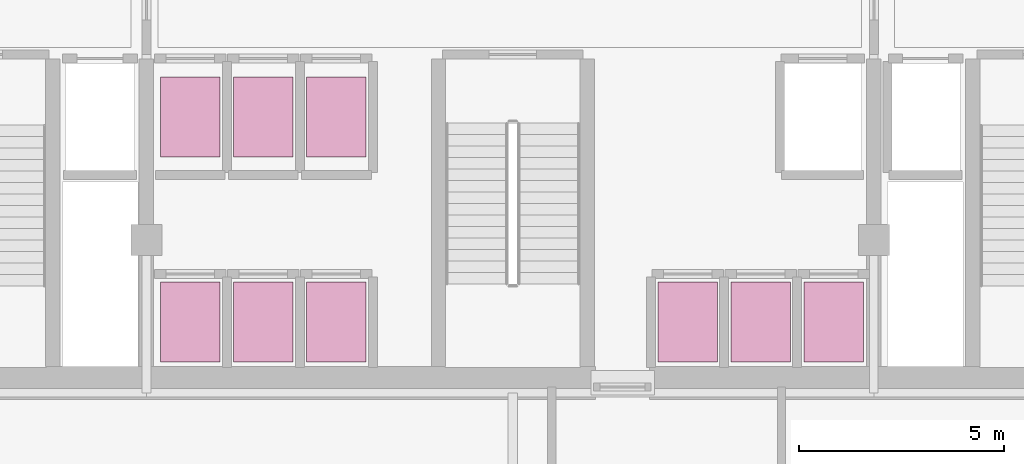
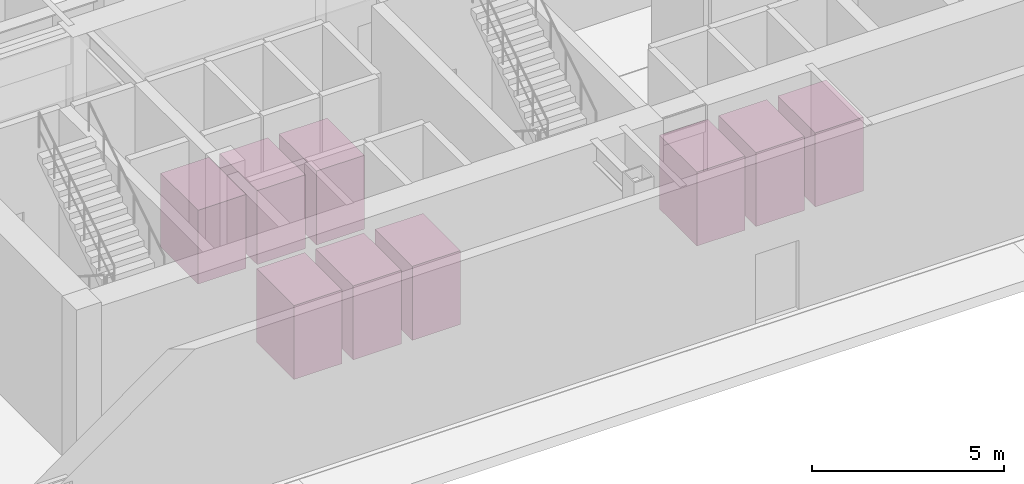
# One storey, part 23 of 23: 9 transport elements.
"""IFC4 building model written with IfcOpenShell, lengths in metres."""

from ifc_helpers import new_model, si_unit, direction, frame, origin, origin_2d, place, context, subcontext, project, spatial, rectangle, extrude, material, type_object, element, save


model = new_model("IFC4")

# Units and contexts
model_context = context("Model", 3, precision=1e-05, world=origin(), true_north=direction((0.0, 1.0)))
body_context = subcontext(model_context, "Body", "Model", "MODEL_VIEW")
ifc_project = project(units=[si_unit("LENGTHUNIT", "METRE"), si_unit("AREAUNIT", "SQUARE_METRE"), si_unit("VOLUMEUNIT", "CUBIC_METRE"), si_unit("PLANEANGLEUNIT", "RADIAN"), si_unit("MASSUNIT", "GRAM", prefix="KILO")], contexts=[model_context])

# Site, building, storey
site_placement = place(None, origin())
site = spatial("IfcSite", under=ifc_project, at=site_placement, CompositionType="ELEMENT")
building_placement = place(site_placement, origin())
building = spatial("IfcBuilding", under=site, at=building_placement, Name="Ventersveld Concourse Tower", CompositionType="ELEMENT")
storey_placement = place(building_placement, origin())
storey = spatial("IfcBuildingStorey", under=building, at=storey_placement, Name="L00", CompositionType="ELEMENT", Elevation=0.0)

# Transport elements
ifc_material = material(Name="Brushed stainless steel 316", Category="steel")
transport_element_type_1 = type_object("IfcTransportElementType", Name="LIFT-PAX-1600", PredefinedType="ELEVATOR", material=ifc_material)
for number, where, z_axis, x_axis, name in (
    (1, (20.889892578125, 2.0, 0.0), (0.0, 0.0, 1.0), (1.0, 0.0, 0.0), "Elevator Car PL-01"),
    (2, (22.669921875, 2.0, 0.0), (0.0, 0.0, 1.0), (1.0, 0.0, 0.0), "Elevator Car PL-02"),
    (3, (24.449951171875, 2.0, 0.0), (0.0, 0.0, 1.0), (1.0, 0.0, 0.0), "Elevator Car PL-03"),
):
    element("IfcTransportElement", number, at=place(storey_placement, frame(where, z_axis=z_axis, x_axis=x_axis)), inside=storey, type_object=transport_element_type_1, Name=name, PredefinedType="ELEVATOR", context=body_context, shape_type="SweptSolid", body=[
        extrude(rectangle(XDim=1.449951171875, YDim=1.949951171875, at=origin_2d()), origin(), (0.0, 0.0, 1.0), 2.35009765625),
    ])
transport_element_type_2 = type_object("IfcTransportElementType", Name="LIFT-PAX-1800", PredefinedType="ELEVATOR", material=ifc_material)
for number, where, z_axis, x_axis, name in (
    (4, (33.010009765625, 2.0, 0.0), (0.0, 0.0, 1.0), (1.0, 0.0, 0.0), "Elevator Car PM-01"),
    (5, (34.7900390625, 2.0, 0.0), (0.0, 0.0, 1.0), (1.0, 0.0, 0.0), "Elevator Car PM-02"),
    (6, (36.570068359375, 2.0, 0.0), (0.0, 0.0, 1.0), (1.0, 0.0, 0.0), "Elevator Car PM-03"),
    (7, (20.889892578125, 7.0, 0.0), (0.0, 0.0, 1.0), (1.0, 0.0, 0.0), "Elevator Car PH-01"),
    (8, (22.669921875, 7.0, 0.0), (0.0, 0.0, 1.0), (1.0, 0.0, 0.0), "Elevator Car PH-02"),
    (9, (24.449951171875, 7.0, 0.0), (0.0, 0.0, 1.0), (1.0, 0.0, 0.0), "Elevator Car PH-03"),
):
    element("IfcTransportElement", number, at=place(storey_placement, frame(where, z_axis=z_axis, x_axis=x_axis)), inside=storey, type_object=transport_element_type_2, Name=name, PredefinedType="ELEVATOR", context=body_context, shape_type="SweptSolid", body=[
        extrude(rectangle(XDim=1.449951171875, YDim=1.949951171875, at=origin_2d()), origin(), (0.0, 0.0, 1.0), 2.35009765625),
    ])

save(model, "model.ifc")
